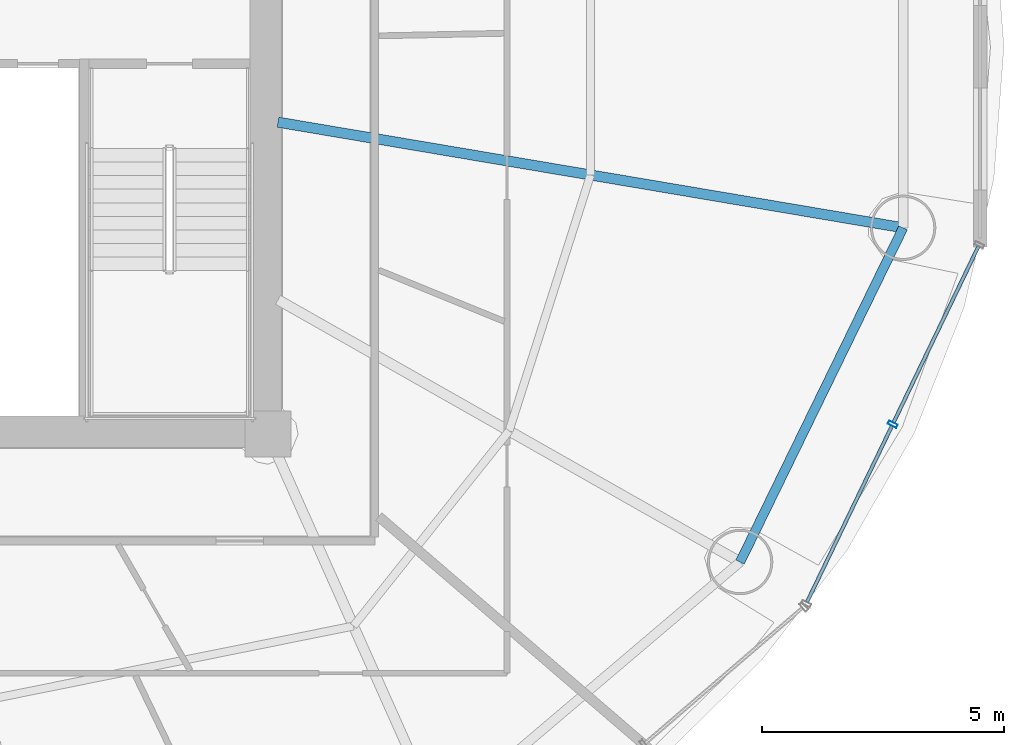
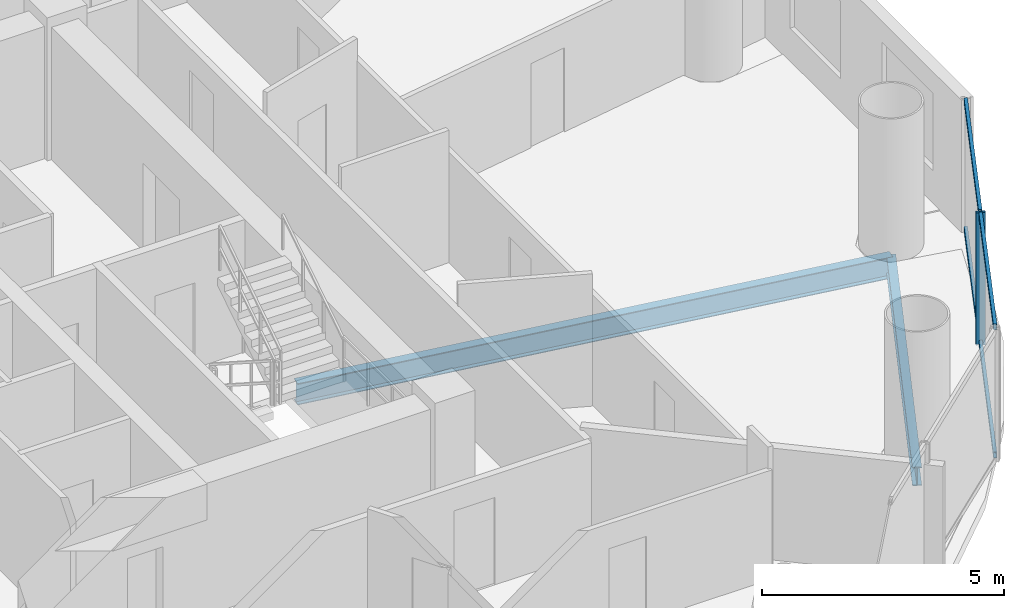
# One storey, part 11 of 27: 5 members, 2 beams, 1 element without a shape of its own.
"""IFC4 building model written with IfcOpenShell, lengths in metres."""

import ifcopenshell
import ifcopenshell.guid

model = None  # the IFC model being written
_history = None  # IfcOwnerHistory: only IFC2X3 demands one
_inside = {}  # id of a spatial element -> (the spatial element, [elements in it])
_under = {}  # id of a project, library or spatial element -> (it, [spatial elements below it])
_declared = {}  # id of a project -> (the project, [libraries it declares])
_typed = {}  # id of a type object -> (the type object, [elements of that type])
_made_of = {}  # id of a material, layer set ... -> (it, [elements and type objects made of it])


def new_model(schema):
    """Start an empty IFC model of exactly this schema.

    Asked for "IFC4X3", IfcOpenShell would pick the latest addendum, in which some entities
    have other attributes; the version numbers below select the first issue.
    IFC2X3 requires an IfcOwnerHistory on every rooted entity: one is made here for all.
    """
    global model, _history
    if schema == "IFC4X3":
        model = ifcopenshell.file(schema_version=(4, 3, 0, 0))
    else:
        model = ifcopenshell.file(schema=schema)
    _inside.clear()
    _under.clear()
    _declared.clear()
    _typed.clear()
    _made_of.clear()
    _history = None
    if model.schema == "IFC2X3":
        org = make("IfcOrganization", Name="unknown")
        user = make(
            "IfcPersonAndOrganization",
            ThePerson=make("IfcPerson", FamilyName="unknown"),
            TheOrganization=org,
        )
        app = make(
            "IfcApplication",
            ApplicationDeveloper=org,
            Version="unknown",
            ApplicationFullName="unknown",
            ApplicationIdentifier="unknown",
        )
        _history = make(
            "IfcOwnerHistory",
            OwningUser=user,
            OwningApplication=app,
            ChangeAction="ADDED",
            CreationDate=0,
        )
    return model


def make(cls, **values):
    """One entity of the class cls with the attributes given. An attribute that is None is left unset."""
    return model.create_entity(
        cls, **{name: value for name, value in values.items() if value is not None}
    )


def rooted(cls, **values):
    """An entity with a GlobalId (a new one), such as an element, a storey or a relation."""
    return make(cls, GlobalId=ifcopenshell.guid.new(), OwnerHistory=_history, **values)


def si_unit(unit_type, name, prefix=None):
    """IfcSIUnit, for example si_unit("LENGTHUNIT", "METRE", prefix="MILLI")."""
    return make("IfcSIUnit", UnitType=unit_type, Prefix=prefix, Name=name)


def assignment(units):
    """IfcUnitAssignment: the units of a project."""
    return None if units is None else make("IfcUnitAssignment", Units=units)


def point(xyz):
    """IfcCartesianPoint."""
    return None if xyz is None else make("IfcCartesianPoint", Coordinates=xyz)


def direction(xyz):
    """IfcDirection."""
    return None if xyz is None else make("IfcDirection", DirectionRatios=xyz)


def frame(location, z_axis=None, x_axis=None):
    """IfcAxis2Placement3D, a coordinate frame: its origin and axes. An axis left out is left unset."""
    return make(
        "IfcAxis2Placement3D",
        Location=point(location),
        Axis=direction(z_axis),
        RefDirection=direction(x_axis),
    )


def frame_2d(location, x_axis=None):
    """IfcAxis2Placement2D, a coordinate frame in the plane: its origin and x axis."""
    return make(
        "IfcAxis2Placement2D", Location=point(location), RefDirection=direction(x_axis)
    )


def origin():
    """The frame at (0, 0, 0) with its axes left unset."""
    return frame((0.0, 0.0, 0.0))


def origin_2d():
    """The frame at (0, 0) in the plane with its x axis left unset."""
    return frame_2d((0.0, 0.0))


def place(relative_to, where):
    """IfcLocalPlacement: puts the frame where relative to a parent placement (None: the world)."""
    return make(
        "IfcLocalPlacement", PlacementRelTo=relative_to, RelativePlacement=where
    )


def context(
    kind, dimensions, precision=None, world=None, true_north=None, identifier=None
):
    """IfcGeometricRepresentationContext, for example the 3D "Model" context."""
    return make(
        "IfcGeometricRepresentationContext",
        ContextIdentifier=identifier,
        ContextType=kind,
        CoordinateSpaceDimension=dimensions,
        Precision=precision,
        WorldCoordinateSystem=world,
        TrueNorth=true_north,
    )


def subcontext(parent, identifier, kind, view, scale=None):
    """IfcGeometricRepresentationSubContext, for example "Body" below "Model"."""
    return make(
        "IfcGeometricRepresentationSubContext",
        ContextIdentifier=identifier,
        ContextType=kind,
        ParentContext=parent,
        TargetScale=scale,
        TargetView=view,
    )


def project(units=None, contexts=None):
    """IfcProject with its units and contexts."""
    return rooted(
        "IfcProject",
        Name="project",
        RepresentationContexts=contexts,
        UnitsInContext=assignment(units),
    )


def spatial(cls, under=None, at=None, **own):
    """A site, building, storey or space (cls), placed at a placement, below another one or the project."""
    s = rooted(cls, ObjectPlacement=at, **own)
    if under is not None:
        _under.setdefault(under.id(), (under, []))[1].append(s)
    return s


def profile(cls, at=None, kind="AREA", **sizes):
    """A parametric profile (cls). Its sizes go by their IFC names, for example OverallWidth=200.0."""
    return make(cls, ProfileType=kind, Position=at, **sizes)


def hollow_rectangle(**sizes):
    """IfcRectangleHollowProfileDef."""
    return profile("IfcRectangleHollowProfileDef", **sizes)


def i_section(**sizes):
    """IfcIShapeProfileDef."""
    return profile("IfcIShapeProfileDef", **sizes)


def extrude(swept, where, along, depth):
    """IfcExtrudedAreaSolid: the profile swept, set in the frame where, extruded along a direction by depth."""
    return make(
        "IfcExtrudedAreaSolid",
        SweptArea=swept,
        Position=where,
        ExtrudedDirection=direction(along),
        Depth=depth,
    )


def shape(context_of_items, identifier, shape_type, items):
    """IfcShapeRepresentation: the items that make up one representation, for example the "Body"."""
    return make(
        "IfcShapeRepresentation",
        ContextOfItems=context_of_items,
        RepresentationIdentifier=identifier,
        RepresentationType=shape_type,
        Items=items,
    )


def source(mapping_origin, context_of_items, identifier, shape_type, items):
    """IfcRepresentationMap: a shape defined once, which mapped items show again and again."""
    return make(
        "IfcRepresentationMap",
        MappingOrigin=mapping_origin,
        MappedRepresentation=shape(context_of_items, identifier, shape_type, items),
    )


def transform(
    local_origin,
    x_axis=None,
    y_axis=None,
    z_axis=None,
    scale=None,
    scale2=None,
    scale3=None,
    uniform=True,
):
    """IfcCartesianTransformationOperator3D, or its non-uniform kind. x_axis, y_axis, z_axis: its Axis1, 2, 3."""
    if uniform:
        return make(
            "IfcCartesianTransformationOperator3D",
            Axis1=direction(x_axis),
            Axis2=direction(y_axis),
            LocalOrigin=point(local_origin),
            Scale=scale,
            Axis3=direction(z_axis),
        )
    return make(
        "IfcCartesianTransformationOperator3DnonUniform",
        Axis1=direction(x_axis),
        Axis2=direction(y_axis),
        LocalOrigin=point(local_origin),
        Scale=scale,
        Axis3=direction(z_axis),
        Scale2=scale2,
        Scale3=scale3,
    )


def mapped(mapping_source, mapping_target):
    """IfcMappedItem: shows the shape of a source again, moved by a transform."""
    return make(
        "IfcMappedItem", MappingSource=mapping_source, MappingTarget=mapping_target
    )


def material(Name=None, Category=None):
    """IfcMaterial."""
    return make("IfcMaterial", Name=Name, Category=Category)


def material_profile(
    of_material, cross_section, Name=None, Category=None, Priority=None
):
    """IfcMaterialProfile: a cross section and its material."""
    return make(
        "IfcMaterialProfile",
        Name=Name,
        Material=of_material,
        Profile=cross_section,
        Priority=Priority,
        Category=Category,
    )


def profile_set(profiles, Name=None, composite=None):
    """IfcMaterialProfileSet."""
    return make(
        "IfcMaterialProfileSet",
        Name=Name,
        MaterialProfiles=profiles,
        CompositeProfile=composite,
    )


def made_of(thing, what):
    """Note that an element or type object is made of a material, layer set ...; save() writes the relation."""
    if what is not None:
        _made_of.setdefault(what.id(), (what, []))[1].append(thing)
    return thing


def type_object(cls, material=None, **own):
    """A type object (cls), such as IfcWallType, which elements share."""
    return made_of(rooted(cls, **own), material)


def element(
    cls,
    number,
    at=None,
    inside=None,
    cuts=None,
    type_object=None,
    material=None,
    context=None,
    identifier="Body",
    shape_type=None,
    held_by="IfcProductDefinitionShape",
    body=None,
    shapes=None,
    **own,
):
    """One element of the class cls, such as IfcWall. Its Tag is "e" and its number.

    at: its placement. inside: the storey or other place that contains it. cuts: it is an
    opening in that element (IfcRelVoidsElement). A single representation is given by context,
    identifier, shape_type and body (its items); several are given by shapes. held_by: the class
    of the entity that holds the representations. save() writes the other relations.
    """
    e = rooted(cls, Tag="e%d" % number, ObjectPlacement=at, **own)
    if body is not None:
        shapes = [shape(context, identifier, shape_type, body)]
    if shapes is not None:
        e.Representation = make(held_by, Representations=shapes)
    if inside is not None:
        _inside.setdefault(inside.id(), (inside, []))[1].append(e)
    if cuts is not None:
        rooted(
            "IfcRelVoidsElement", RelatingBuildingElement=cuts, RelatedOpeningElement=e
        )
    if type_object is not None:
        _typed.setdefault(type_object.id(), (type_object, []))[1].append(e)
    return made_of(e, material)


def aggregate(whole, parts):
    """IfcRelAggregates: a whole, such as a stair, and the parts it consists of."""
    return rooted("IfcRelAggregates", RelatingObject=whole, RelatedObjects=parts)


def save(model, path):
    """Write the relations noted so far, then the file.

    IfcRelAggregates (storeys below a building ...), IfcRelContainedInSpatialStructure (elements
    in a storey), IfcRelDefinesByType, IfcRelAssociatesMaterial and IfcRelDeclares: one each for
    every whole, place, type object, material and project.
    """
    for whole, parts in _under.values():
        aggregate(whole, parts)
    for where, things in _inside.values():
        rooted(
            "IfcRelContainedInSpatialStructure",
            RelatedElements=things,
            RelatingStructure=where,
        )
    for kind, things in _typed.values():
        rooted("IfcRelDefinesByType", RelatedObjects=things, RelatingType=kind)
    for what, things in _made_of.values():
        rooted("IfcRelAssociatesMaterial", RelatedObjects=things, RelatingMaterial=what)
    for by, libraries in _declared.values():
        rooted("IfcRelDeclares", RelatingContext=by, RelatedDefinitions=libraries)
    model.write(path)


model = new_model("IFC4")

# Units and contexts
model_context = context("Model", 3, precision=1e-05, world=origin(), true_north=direction((-0.2419218956, 0.970295726276)))
body_context = subcontext(model_context, "Body", "Model", "MODEL_VIEW")
ifc_project = project(units=[si_unit("LENGTHUNIT", "METRE"), si_unit("AREAUNIT", "SQUARE_METRE"), si_unit("VOLUMEUNIT", "CUBIC_METRE"), si_unit("PLANEANGLEUNIT", "RADIAN"), si_unit("MASSUNIT", "GRAM", prefix="KILO")], contexts=[model_context])

# Site, building, storey
site_placement = place(None, origin())
site = spatial("IfcSite", under=ifc_project, at=site_placement, CompositionType="ELEMENT")
building_placement = place(site_placement, origin())
building = spatial("IfcBuilding", under=site, at=building_placement, Name="Cobrevalo Terracotta Tower", CompositionType="ELEMENT")
storey_placement = place(building_placement, frame((0.0, 0.0, 153.39990234375)))
storey = spatial("IfcBuildingStorey", under=building, at=storey_placement, Name="L40", CompositionType="ELEMENT", Elevation=153.39990234375)

# Beams
ifc_material_1 = material(Name="Steel S355", Category="steel")
ifc_material_profile_1 = material_profile(ifc_material_1, i_section(OverallWidth=0.2109375, OverallDepth=0.5390625, WebThickness=0.01171875, FlangeThickness=0.018798828125, at=origin_2d()), Name="W 530x109")
ifc_profile_set_1 = profile_set([ifc_material_profile_1], Name="Steel S355")
beam_type_1 = type_object("IfcBeamType", Name="Structural Beam W 530x109 (Steel S355)", PredefinedType="BEAM", material=ifc_profile_set_1)
beam_1_placement = place(storey_placement, frame((60.11669921875, 23.06396484375, -0.539306640625), z_axis=(-0.986029732232, 0.166569406417, 0.0), x_axis=(-0.166569406417, -0.986029732232, 0.0)))
element("IfcBeam", 1, at=beam_1_placement, inside=storey, type_object=beam_type_1, Name="L40 radial floor girder 16", PredefinedType="BEAM", context=body_context, shape_type="SweptSolid", body=[
    extrude(i_section(OverallWidth=0.2109375, OverallDepth=0.5390625, WebThickness=0.01171875, FlangeThickness=0.018798828125, at=origin_2d()), origin(), (0.0, 0.0, 1.0), 13.094482421875),
])
ifc_material_profile_2 = material_profile(ifc_material_1, i_section(OverallWidth=0.194091796875, OverallDepth=0.468994140625, WebThickness=0.011474609375, FlangeThickness=0.0205078125, at=origin_2d()), Name="W 460x106")
ifc_profile_set_2 = profile_set([ifc_material_profile_2], Name="Steel S355")
beam_type_2 = type_object("IfcBeamType", Name="Structural Spandrel W 460x106 (Steel S355)", PredefinedType="SPANDREL", material=ifc_profile_set_2)
beam_2_placement = place(storey_placement, frame((56.749755859375, 16.160888671875, -0.50439453125), z_axis=(0.438380418332, 0.898789524206, 0.0), x_axis=(-0.898789524206, 0.438380418332, 0.0)))
element("IfcBeam", 2, at=beam_2_placement, inside=storey, type_object=beam_type_2, Name="L40 perimeter ring spandrel 15", PredefinedType="SPANDREL", context=body_context, shape_type="SweptSolid", body=[
    extrude(i_section(OverallWidth=0.194091796875, OverallDepth=0.468994140625, WebThickness=0.011474609375, FlangeThickness=0.0205078125, at=origin_2d()), origin(), (0.0, 0.0, 1.0), 7.680419921875),
])

# Curtain wall, members
ifc_material_2 = material(Name="Anodized aluminium", Category="aluminium")
curtain_wall_type = type_object("IfcCurtainWallType", Name="Mid-tower high-wind unitised curtain wall CW-U2", PredefinedType="NOTDEFINED", material=ifc_material_2)
curtain_wall_placement = place(storey_placement, origin())
curtain_wall = element("IfcCurtainWall", 3, at=curtain_wall_placement, inside=storey, type_object=curtain_wall_type, Name="L40 curtain wall CW-L40-S15", PredefinedType="NOTDEFINED")
ifc_material_profile_3 = material_profile(ifc_material_2, hollow_rectangle(XDim=0.074951171875, YDim=0.199951171875, WallThickness=0.0048828125, at=origin_2d()), Name="CWM 75x200")
ifc_profile_set_3 = profile_set([ifc_material_profile_3], Name="Anodized aluminium")
member_type_1 = type_object("IfcMemberType", Name="Lower/mid tower unitised mullion 75x200", PredefinedType="MULLION", material=ifc_profile_set_3)
shared_shape_1 = source(origin(), body_context, "Body", "SweptSolid", [
    extrude(hollow_rectangle(XDim=0.074951171875, YDim=0.199951171875, WallThickness=0.0048828125, at=origin_2d()), origin(), (0.0, 0.0, 1.0), 3.330078125),
])
member_1_placement = place(storey_placement, frame((59.901123046875, 19.00439453125, 0.0), z_axis=(0.0, 0.0, 1.0), x_axis=(0.434209440271, 0.900811945957, 0.0)))
member_1 = element("IfcMember", 4, at=member_1_placement, type_object=member_type_1, Name="CW-L40-S15 vertical mullion 02", PredefinedType="MULLION", context=body_context, shape_type="MappedRepresentation", body=[
    mapped(shared_shape_1, transform((0.0, 0.0, 0.0), scale=1.0)),
])
ifc_material_profile_4 = material_profile(ifc_material_2, hollow_rectangle(XDim=0.074951171875, YDim=0.14990234375, WallThickness=0.00439453125, at=origin_2d()), Name="CWT 75x150")
ifc_profile_set_4 = profile_set([ifc_material_profile_4], Name="Anodized aluminium")
member_type_2 = type_object("IfcMemberType", Name="Tower unitised aluminium transom 75x150", PredefinedType="USERDEFINED", material=ifc_profile_set_4)
shared_shape_2 = source(origin(), body_context, "Body", "SweptSolid", [
    extrude(hollow_rectangle(XDim=0.074951171875, YDim=0.14990234375, WallThickness=0.00439453125, at=origin_2d()), origin(), (0.0, 0.0, 1.0), 4.035888671875),
])
member_2_placement = place(storey_placement, frame((58.13134765625, 15.332763671875, 0.050048828125), z_axis=(0.434221176581, 0.900806288726, 0.0), x_axis=(-0.900806288726, 0.434221176581, 0.0)))
member_2 = element("IfcMember", 5, at=member_2_placement, type_object=member_type_2, Name="CW-L40-S15 transom B01-T1", ObjectType="TRANSOM", PredefinedType="USERDEFINED", context=body_context, shape_type="MappedRepresentation", body=[
    mapped(shared_shape_2, transform((0.0, 0.0, 0.0), scale=1.0)),
])
member_3_placement = place(storey_placement, frame((58.13134765625, 15.332763671875, 3.280029296875), z_axis=(0.434221176581, 0.900806288726, 0.0), x_axis=(-0.900806288726, 0.434221176581, 0.0)))
member_3 = element("IfcMember", 6, at=member_3_placement, type_object=member_type_2, Name="CW-L40-S15 transom B01-T2", ObjectType="TRANSOM", PredefinedType="USERDEFINED", context=body_context, shape_type="MappedRepresentation", body=[
    mapped(shared_shape_2, transform((0.0, 0.0, 0.0), scale=1.0)),
])
member_4_placement = place(storey_placement, frame((59.91845703125, 19.04052734375, 0.050048828125), z_axis=(0.434221176581, 0.900806288726, 0.0), x_axis=(-0.900806288726, 0.434221176581, 0.0)))
member_4 = element("IfcMember", 7, at=member_4_placement, type_object=member_type_2, Name="CW-L40-S15 transom B02-T1", ObjectType="TRANSOM", PredefinedType="USERDEFINED", context=body_context, shape_type="MappedRepresentation", body=[
    mapped(shared_shape_2, transform((0.0, 0.0, 0.0), scale=1.0)),
])
member_5_placement = place(storey_placement, frame((59.91845703125, 19.04052734375, 3.280029296875), z_axis=(0.434221176581, 0.900806288726, 0.0), x_axis=(-0.900806288726, 0.434221176581, 0.0)))
member_5 = element("IfcMember", 8, at=member_5_placement, type_object=member_type_2, Name="CW-L40-S15 transom B02-T2", ObjectType="TRANSOM", PredefinedType="USERDEFINED", context=body_context, shape_type="MappedRepresentation", body=[
    mapped(shared_shape_2, transform((0.0, 0.0, 0.0), scale=1.0)),
])
aggregate(curtain_wall, [member_1, member_2, member_3, member_4, member_5])

save(model, "model.ifc")
